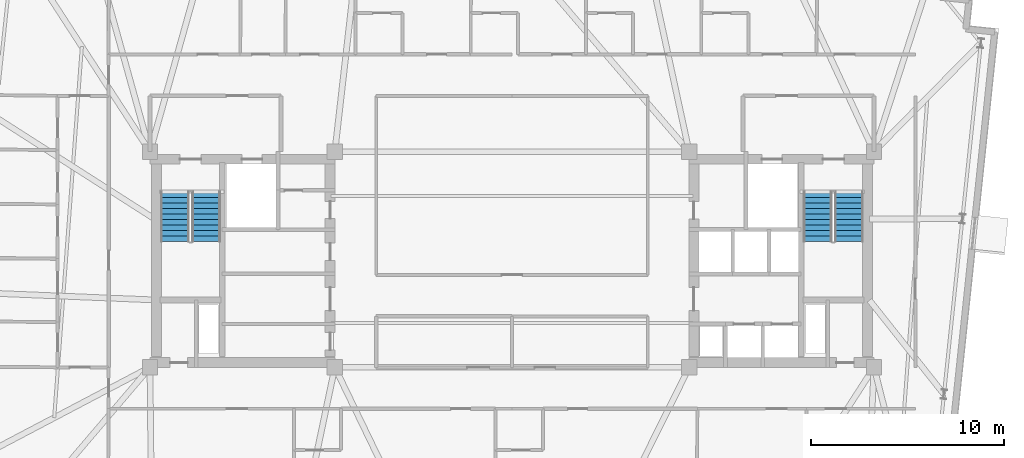
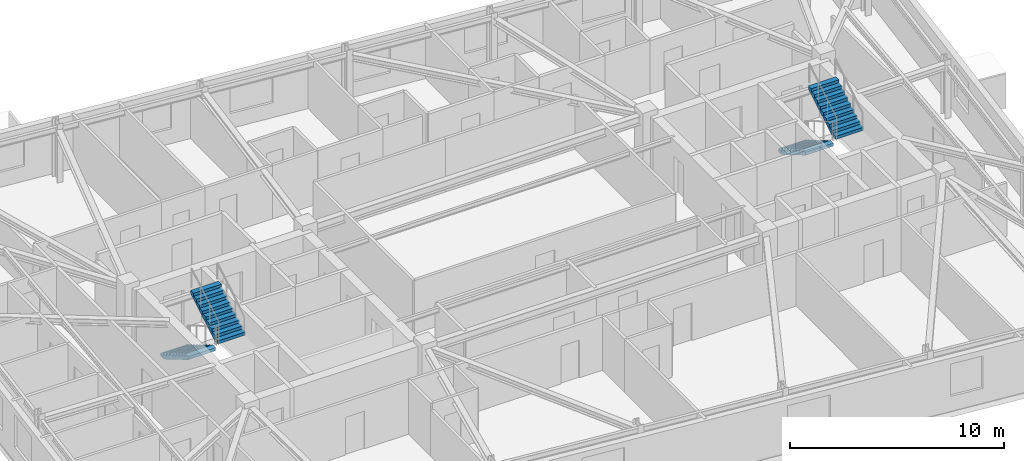
# One storey, part 10 of 13: 4 stair flights, 2 elements without a shape of their own.
"""IFC4 building model written with IfcOpenShell, lengths in metres."""

from ifc_helpers import new_model, si_unit, direction, frame, origin, place, context, subcontext, project, spatial, polyline, outline, extrude, material, type_object, element, aggregate, save


model = new_model("IFC4")

# Units and contexts
model_context = context("Model", 3, precision=1e-05, world=origin(), true_north=direction((0.0, 1.0)))
body_context = subcontext(model_context, "Body", "Model", "MODEL_VIEW")
ifc_project = project(units=[si_unit("LENGTHUNIT", "METRE"), si_unit("AREAUNIT", "SQUARE_METRE"), si_unit("VOLUMEUNIT", "CUBIC_METRE"), si_unit("PLANEANGLEUNIT", "RADIAN"), si_unit("MASSUNIT", "GRAM", prefix="KILO")], contexts=[model_context])

# Site, building, storey
site_placement = place(None, origin())
site = spatial("IfcSite", under=ifc_project, at=site_placement, CompositionType="ELEMENT")
building_placement = place(site_placement, origin())
building = spatial("IfcBuilding", under=site, at=building_placement, Name="Qobustan Lattice House", CompositionType="ELEMENT")
storey_placement = place(building_placement, frame((0.0, 0.0, 186.35009765625)))
storey = spatial("IfcBuildingStorey", under=building, at=storey_placement, Name="L52", CompositionType="ELEMENT", Elevation=186.35009765625)

# Stair, stair flights
ifc_material_1 = material(Name="Concrete C40/50", Category="concrete")
stair_type = type_object("IfcStairType", Name="STR-CORE-DOGLEG", PredefinedType="HALF_TURN_STAIR", material=ifc_material_1)
stair_1_placement = place(storey_placement, origin())
stair_1 = element("IfcStair", 1, at=stair_1_placement, inside=storey, type_object=stair_type, Name="L52 West protected exit stair ST-W1", PredefinedType="HALF_TURN_STAIR")
ifc_material_2 = material(Name="Concrete C40/50", Category="concrete")
stair_flight_type = type_object("IfcStairFlightType", Name="SFL-RC-1500", PredefinedType="STRAIGHT", material=ifc_material_2)
stair_flight_1_placement = place(storey_placement, frame((-17.5, 3.5, 0.0), z_axis=(0.0, 0.0, 1.0), x_axis=(0.0, -1.0, 0.0)))
stair_flight_1 = element("IfcStairFlight", 2, at=stair_flight_1_placement, type_object=stair_flight_type, Name="ST-W1 flight 1", NumberOfRisers=10, NumberOfTreads=9, PredefinedType="STRAIGHT", RiserHeight=0.1675, TreadLength=0.285, context=body_context, shape_type="SweptSolid", body=[
    extrude(outline(polyline([(0.0, 0.0), (0.0, 0.16748046875), (0.284912109375, 0.16748046875), (0.284912109375, 0.3349609375), (0.570068359375, 0.3349609375), (0.570068359375, 0.50244140625), (0.85498046875, 0.50244140625), (0.85498046875, 0.669921875), (1.139892578125, 0.669921875), (1.139892578125, 0.83740234375), (1.425048828125, 0.83740234375), (1.425048828125, 1.0048828125), (1.7099609375, 1.0048828125), (1.7099609375, 1.172607421875), (1.9951171875, 1.172607421875), (1.9951171875, 1.340087890625), (2.280029296875, 1.340087890625), (2.280029296875, 1.507568359375), (2.56494140625, 1.507568359375), (2.56494140625, 1.675048828125), (2.56494140625, 1.333740234375), (0.2958984375, 0.0), (0.0, 0.0)])), frame((0.0, 0.75, 0.0), z_axis=(0.0, -1.0, 0.0), x_axis=(1.0, 0.0, 0.0)), (0.0, 0.0, 1.0), 1.5),
])
stair_flight_2_placement = place(storey_placement, frame((-15.8798828125, 0.93505859375, 1.6748046875), z_axis=(0.0, 0.0, 1.0), x_axis=(0.0, 1.0, 0.0)))
stair_flight_2 = element("IfcStairFlight", 3, at=stair_flight_2_placement, type_object=stair_flight_type, Name="ST-W1 flight 2", NumberOfRisers=10, NumberOfTreads=9, PredefinedType="STRAIGHT", RiserHeight=0.1675, TreadLength=0.285, context=body_context, shape_type="SweptSolid", body=[
    extrude(outline(polyline([(0.0, 0.0), (0.0, 0.16748046875), (0.284912109375, 0.16748046875), (0.284912109375, 0.3349609375), (0.570068359375, 0.3349609375), (0.570068359375, 0.50244140625), (0.85498046875, 0.50244140625), (0.85498046875, 0.669921875), (1.139892578125, 0.669921875), (1.139892578125, 0.83740234375), (1.425048828125, 0.83740234375), (1.425048828125, 1.0048828125), (1.7099609375, 1.0048828125), (1.7099609375, 1.172607421875), (1.9951171875, 1.172607421875), (1.9951171875, 1.340087890625), (2.280029296875, 1.340087890625), (2.280029296875, 1.507568359375), (2.56494140625, 1.507568359375), (2.56494140625, 1.675048828125), (2.56494140625, 1.333740234375), (0.2958984375, 0.0), (0.0, 0.0)])), frame((0.0, 0.75, 0.0), z_axis=(0.0, -1.0, 0.0), x_axis=(1.0, 0.0, 0.0)), (0.0, 0.0, 1.0), 1.5),
])
aggregate(stair_1, [stair_flight_1, stair_flight_2])

stair_2_placement = place(storey_placement, origin())
stair_2 = element("IfcStair", 4, at=stair_2_placement, inside=storey, type_object=stair_type, Name="L52 East protected exit stair ST-E1", PredefinedType="HALF_TURN_STAIR")
stair_flight_3_placement = place(storey_placement, frame((15.8798828125, 3.5, 0.0), z_axis=(0.0, 0.0, 1.0), x_axis=(0.0, -1.0, 0.0)))
stair_flight_3 = element("IfcStairFlight", 5, at=stair_flight_3_placement, type_object=stair_flight_type, Name="ST-E1 flight 1", NumberOfRisers=10, NumberOfTreads=9, PredefinedType="STRAIGHT", RiserHeight=0.1675, TreadLength=0.285, context=body_context, shape_type="SweptSolid", body=[
    extrude(outline(polyline([(0.0, 0.0), (0.0, 0.16748046875), (0.284912109375, 0.16748046875), (0.284912109375, 0.3349609375), (0.570068359375, 0.3349609375), (0.570068359375, 0.50244140625), (0.85498046875, 0.50244140625), (0.85498046875, 0.669921875), (1.139892578125, 0.669921875), (1.139892578125, 0.83740234375), (1.425048828125, 0.83740234375), (1.425048828125, 1.0048828125), (1.7099609375, 1.0048828125), (1.7099609375, 1.172607421875), (1.9951171875, 1.172607421875), (1.9951171875, 1.340087890625), (2.280029296875, 1.340087890625), (2.280029296875, 1.507568359375), (2.56494140625, 1.507568359375), (2.56494140625, 1.675048828125), (2.56494140625, 1.333740234375), (0.2958984375, 0.0), (0.0, 0.0)])), frame((0.0, 0.75, 0.0), z_axis=(0.0, -1.0, 0.0), x_axis=(1.0, 0.0, 0.0)), (0.0, 0.0, 1.0), 1.5),
])
stair_flight_4_placement = place(storey_placement, frame((17.5, 0.93505859375, 1.6748046875), z_axis=(0.0, 0.0, 1.0), x_axis=(0.0, 1.0, 0.0)))
stair_flight_4 = element("IfcStairFlight", 6, at=stair_flight_4_placement, type_object=stair_flight_type, Name="ST-E1 flight 2", NumberOfRisers=10, NumberOfTreads=9, PredefinedType="STRAIGHT", RiserHeight=0.1675, TreadLength=0.285, context=body_context, shape_type="SweptSolid", body=[
    extrude(outline(polyline([(0.0, 0.0), (0.0, 0.16748046875), (0.284912109375, 0.16748046875), (0.284912109375, 0.3349609375), (0.570068359375, 0.3349609375), (0.570068359375, 0.50244140625), (0.85498046875, 0.50244140625), (0.85498046875, 0.669921875), (1.139892578125, 0.669921875), (1.139892578125, 0.83740234375), (1.425048828125, 0.83740234375), (1.425048828125, 1.0048828125), (1.7099609375, 1.0048828125), (1.7099609375, 1.172607421875), (1.9951171875, 1.172607421875), (1.9951171875, 1.340087890625), (2.280029296875, 1.340087890625), (2.280029296875, 1.507568359375), (2.56494140625, 1.507568359375), (2.56494140625, 1.675048828125), (2.56494140625, 1.333740234375), (0.2958984375, 0.0), (0.0, 0.0)])), frame((0.0, 0.75, 0.0), z_axis=(0.0, -1.0, 0.0), x_axis=(1.0, 0.0, 0.0)), (0.0, 0.0, 1.0), 1.5),
])
aggregate(stair_2, [stair_flight_3, stair_flight_4])

save(model, "model.ifc")
